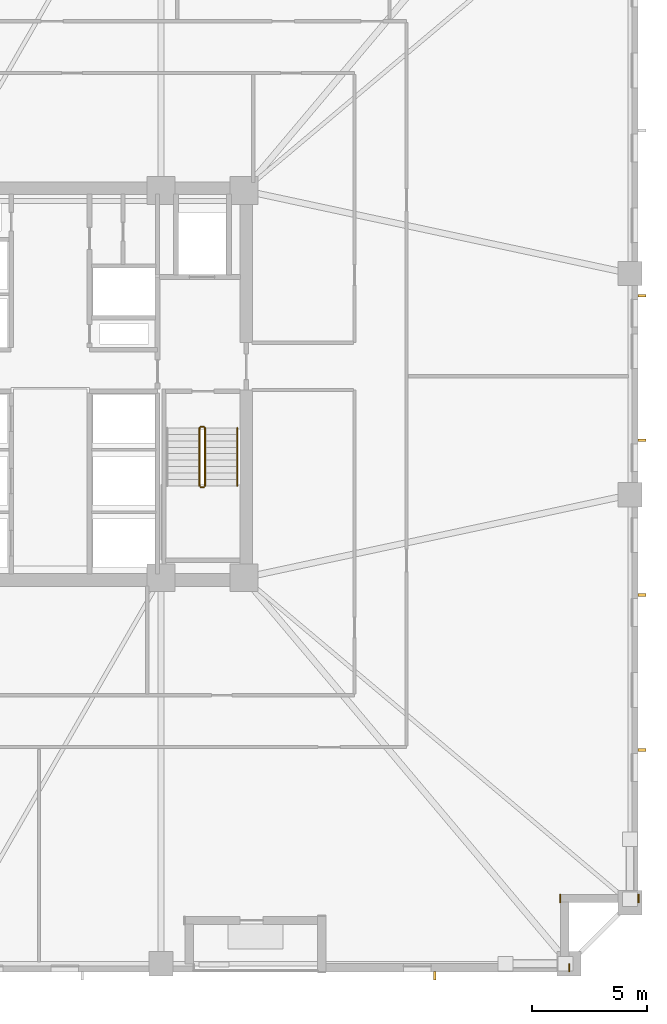
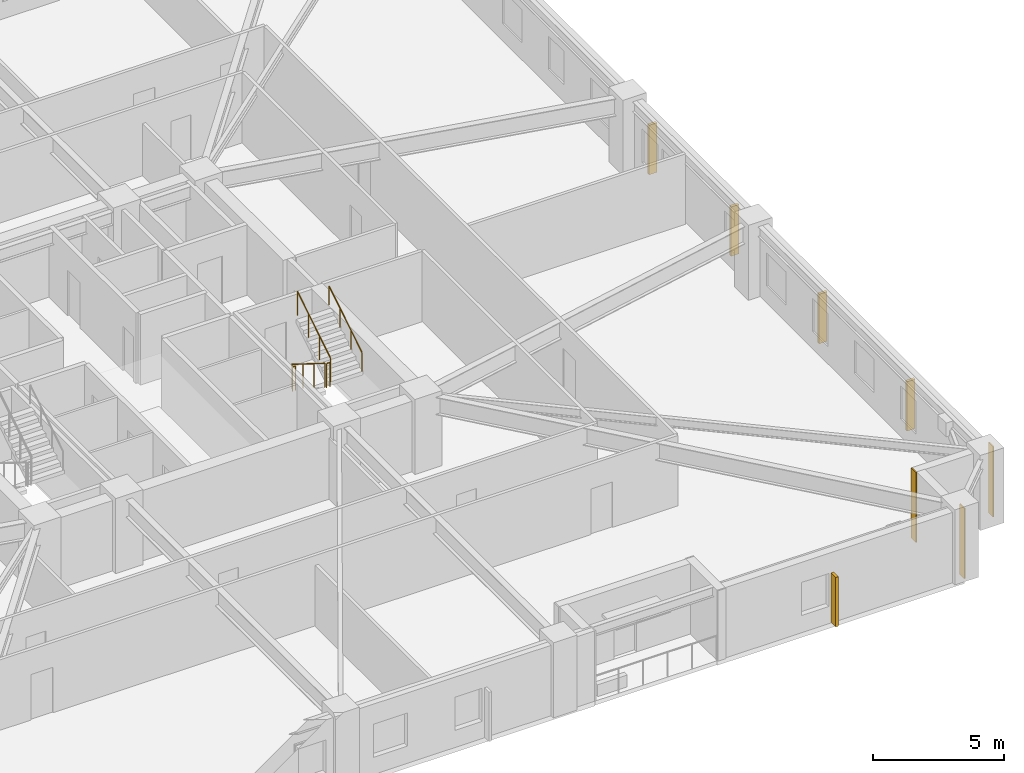
# One storey, part 9 of 11: 5 railings, 5 shading devices, 3 coverings.
"""IFC4 building model written with IfcOpenShell, lengths in metres."""

from ifc_helpers import new_model, si_unit, direction, frame, frame_2d, origin, origin_2d, place, context, subcontext, project, spatial, rectangle, circle, extrude, material, layer, layer_set, type_object, element, save


model = new_model("IFC4")

# Units and contexts
model_context = context("Model", 3, precision=1e-05, world=origin(), true_north=direction((0.0, 1.0)))
body_context = subcontext(model_context, "Body", "Model", "MODEL_VIEW")
ifc_project = project(units=[si_unit("LENGTHUNIT", "METRE"), si_unit("AREAUNIT", "SQUARE_METRE"), si_unit("VOLUMEUNIT", "CUBIC_METRE"), si_unit("PLANEANGLEUNIT", "RADIAN"), si_unit("MASSUNIT", "GRAM", prefix="KILO")], contexts=[model_context])

# Site, building, storey
site_placement = place(None, origin())
site = spatial("IfcSite", under=ifc_project, at=site_placement, CompositionType="ELEMENT")
building_placement = place(site_placement, origin())
building = spatial("IfcBuilding", under=site, at=building_placement, Name="Cairnveth Concourse Tower", CompositionType="ELEMENT")
storey_placement = place(building_placement, frame((0.0, 0.0, 48.0)))
storey = spatial("IfcBuildingStorey", under=building, at=storey_placement, Name="L12", CompositionType="ELEMENT", Elevation=48.0)

# Coverings
ifc_material_1 = material(Name="Dressed Melbourne Bluestone Cladding", Category="masonry")
ifc_layer = layer(ifc_material_1, 0.050048828125)
ifc_layer_set = layer_set([ifc_layer], Name="Dressed Melbourne Bluestone Cladding")
covering_type = type_object("IfcCoveringType", Name="DRESSED BLUESTONE PLINTH CLADDING 50", PredefinedType="CLADDING", material=ifc_layer_set)
for number, where, z_axis, x_axis, name in (
    (1, (77.52001953125, 16.860107421875, 0.0), (0.0, 0.0, 1.0), (0.0, -1.0, 0.0), "Melbourne Bluestone Corner Quoin L12-145"),
    (2, (74.1201171875, 16.860107421875, 0.0), (0.0, 0.0, 1.0), (0.0, -1.0, 0.0), "Melbourne Bluestone Corner Quoin L12-146"),
    (3, (74.52001953125, 13.860107421875, 0.0), (0.0, 0.0, 1.0), (0.0, -1.0, 0.0), "Melbourne Bluestone Corner Quoin L12-147"),
):
    element("IfcCovering", number, at=place(storey_placement, frame(where, z_axis=z_axis, x_axis=x_axis)), inside=storey, type_object=covering_type, Name=name, PredefinedType="CLADDING", context=body_context, shape_type="SweptSolid", body=[
        extrude(rectangle(XDim=0.360107421875, YDim=0.050048828125, at=frame_2d((0.18017578125, 0.0))), origin(), (0.0, 0.0, 1.0), 3.280029296875),
    ])

# Shading devices
ifc_material_2 = material(Name="Architectural Bronze Anodised Aluminium 6063-T6", Category="aluminium")
shading_device_type = type_object("IfcShadingDeviceType", Name="GOTHIC BRONZE VERTICAL LANCET FIN", PredefinedType="USERDEFINED", material=ifc_material_2)
for number, where, z_axis, x_axis, name in (
    (4, (77.675048828125, 42.839111328125, 0.02978515625), (0.0, 0.0, 1.0), (0.0, 1.0, 0.0), "Gothic Bronze Vertical Fin L12-9-5"),
    (5, (77.675048828125, 36.56884765625, 0.02978515625), (0.0, 0.0, 1.0), (0.0, 1.0, 0.0), "Gothic Bronze Vertical Fin L12-9-7"),
    (6, (77.675048828125, 29.848388671875, 0.02978515625), (0.0, 0.0, 1.0), (0.0, 1.0, 0.0), "Gothic Bronze Vertical Fin L12-9-9"),
    (7, (77.675048828125, 23.128173828125, 0.02978515625), (0.0, 0.0, 1.0), (0.0, 1.0, 0.0), "Gothic Bronze Vertical Fin L12-9-11"),
    (8, (68.678955078125, 13.324951171875, 0.02978515625), (0.0, 0.0, 1.0), (1.0, 0.0, 0.0), "Gothic Bronze Vertical Fin L12-12-1"),
):
    element("IfcShadingDevice", number, at=place(storey_placement, frame(where, z_axis=z_axis, x_axis=x_axis)), inside=storey, type_object=shading_device_type, Name=name, ObjectType="VERTICAL FIN", PredefinedType="USERDEFINED", context=body_context, shape_type="SweptSolid", body=[
        extrude(rectangle(XDim=0.1201171875, YDim=0.360107421875, at=origin_2d()), origin(), (0.0, 0.0, 1.0), 2.303955078125),
    ])

# Railings
ifc_material_3 = material(Name="Steel Grade 350", Category="steel")
railing_type_1 = type_object("IfcRailingType", Name="STAIR GUARDRAIL 1150", PredefinedType="GUARDRAIL", material=ifc_material_3)
railing_1_placement = place(storey_placement, frame((58.469970703125, 37.10009765625, 0.175048828125)))
element("IfcRailing", 9, at=railing_1_placement, inside=storey, type_object=railing_type_1, Name="L12 ST-2 stair guard 1", PredefinedType="GUARDRAIL", context=body_context, shape_type="SweptSolid", body=[
    extrude(circle(Radius=0.02392578125, at=origin_2d()), frame((0.0, 0.0, 1.1259765625), z_axis=(0.0, -0.848007534815, 0.529984170421), x_axis=(1.0, 0.0, 0.0)), (0.0, 0.0, 1.0), 2.9716796875),
    extrude(circle(Radius=0.02099609375, at=origin_2d()), origin(), (0.0, 0.0, 1.0), 1.101806640625),
    extrude(circle(Radius=0.02099609375, at=origin_2d()), frame((0.0, -0.840087890625, 0.52490234375)), (0.0, 0.0, 1.0), 1.101806640625),
    extrude(circle(Radius=0.02099609375, at=origin_2d()), frame((0.0, -1.679931640625, 1.050048828125)), (0.0, 0.0, 1.0), 1.101806640625),
    extrude(circle(Radius=0.02099609375, at=origin_2d()), frame((0.0, -2.52001953125, 1.574951171875)), (0.0, 0.0, 1.0), 1.101806640625),
])
railing_2_placement = place(storey_placement, frame((58.52001953125, 34.530029296875, 1.75)))
element("IfcRailing", 10, at=railing_2_placement, inside=storey, type_object=railing_type_1, Name="L12 ST-2 stair guard 2", PredefinedType="GUARDRAIL", context=body_context, shape_type="SweptSolid", body=[
    extrude(circle(Radius=0.02392578125, at=origin_2d()), frame((0.0, 0.0, 1.1259765625), z_axis=(1.0, 0.0, 0.0), x_axis=(0.0, 1.0, 0.0)), (0.0, 0.0, 1.0), 0.139892578125),
    extrude(circle(Radius=0.02099609375, at=origin_2d()), origin(), (0.0, 0.0, 1.0), 1.101806640625),
    extrude(circle(Radius=0.02099609375, at=origin_2d()), frame((0.139892578125, 0.0, 0.0)), (0.0, 0.0, 1.0), 1.101806640625),
])
railing_3_placement = place(storey_placement, frame((58.7099609375, 34.580078125, 1.925048828125)))
element("IfcRailing", 11, at=railing_3_placement, inside=storey, type_object=railing_type_1, Name="L12 ST-2 stair guard 3", PredefinedType="GUARDRAIL", context=body_context, shape_type="SweptSolid", body=[
    extrude(circle(Radius=0.02392578125, at=origin_2d()), frame((0.0, 0.0, 1.1259765625), z_axis=(0.0, 0.848007534815, 0.529984170421), x_axis=(-1.0, 0.0, 0.0)), (0.0, 0.0, 1.0), 2.9716796875),
    extrude(circle(Radius=0.02099609375, at=origin_2d()), origin(), (0.0, 0.0, 1.0), 1.101806640625),
    extrude(circle(Radius=0.02099609375, at=origin_2d()), frame((0.0, 0.840087890625, 0.52490234375)), (0.0, 0.0, 1.0), 1.101806640625),
    extrude(circle(Radius=0.02099609375, at=origin_2d()), frame((0.0, 1.679931640625, 1.050048828125)), (0.0, 0.0, 1.0), 1.101806640625),
    extrude(circle(Radius=0.02099609375, at=origin_2d()), frame((0.0, 2.52001953125, 1.574951171875)), (0.0, 0.0, 1.0), 1.101806640625),
])
railing_4_placement = place(storey_placement, frame((58.52001953125, 37.14990234375, 0.0)))
element("IfcRailing", 12, at=railing_4_placement, inside=storey, type_object=railing_type_1, Name="L12 ST-2 stair guard 4", PredefinedType="GUARDRAIL", context=body_context, shape_type="SweptSolid", body=[
    extrude(circle(Radius=0.02392578125, at=origin_2d()), frame((0.0, 0.0, 1.1259765625), z_axis=(1.0, 0.0, 0.0), x_axis=(0.0, 1.0, 0.0)), (0.0, 0.0, 1.0), 0.139892578125),
    extrude(circle(Radius=0.02099609375, at=origin_2d()), origin(), (0.0, 0.0, 1.0), 1.101806640625),
    extrude(circle(Radius=0.02099609375, at=origin_2d()), frame((0.139892578125, 0.0, 0.0)), (0.0, 0.0, 1.0), 1.101806640625),
])
railing_type_2 = type_object("IfcRailingType", Name="STAIR WALL HANDRAIL 900", PredefinedType="HANDRAIL", material=ifc_material_3)
railing_5_placement = place(storey_placement, frame((60.110107421875, 34.580078125, 1.925048828125)))
element("IfcRailing", 13, at=railing_5_placement, inside=storey, type_object=railing_type_2, Name="L12 ST-2 stair handrail 2", PredefinedType="HANDRAIL", context=body_context, shape_type="SweptSolid", body=[
    extrude(circle(Radius=0.02392578125, at=origin_2d()), frame((0.0, 0.0, 0.8759765625), z_axis=(0.0, 0.848007534815, 0.529984170421), x_axis=(-1.0, 0.0, 0.0)), (0.0, 0.0, 1.0), 2.9716796875),
    extrude(circle(Radius=0.02099609375, at=origin_2d()), origin(), (0.0, 0.0, 1.0), 0.851806640625),
    extrude(circle(Radius=0.02099609375, at=origin_2d()), frame((0.0, 0.840087890625, 0.52490234375)), (0.0, 0.0, 1.0), 0.851806640625),
    extrude(circle(Radius=0.02099609375, at=origin_2d()), frame((0.0, 1.679931640625, 1.050048828125)), (0.0, 0.0, 1.0), 0.851806640625),
    extrude(circle(Radius=0.02099609375, at=origin_2d()), frame((0.0, 2.52001953125, 1.574951171875)), (0.0, 0.0, 1.0), 0.851806640625),
])

save(model, "model.ifc")
